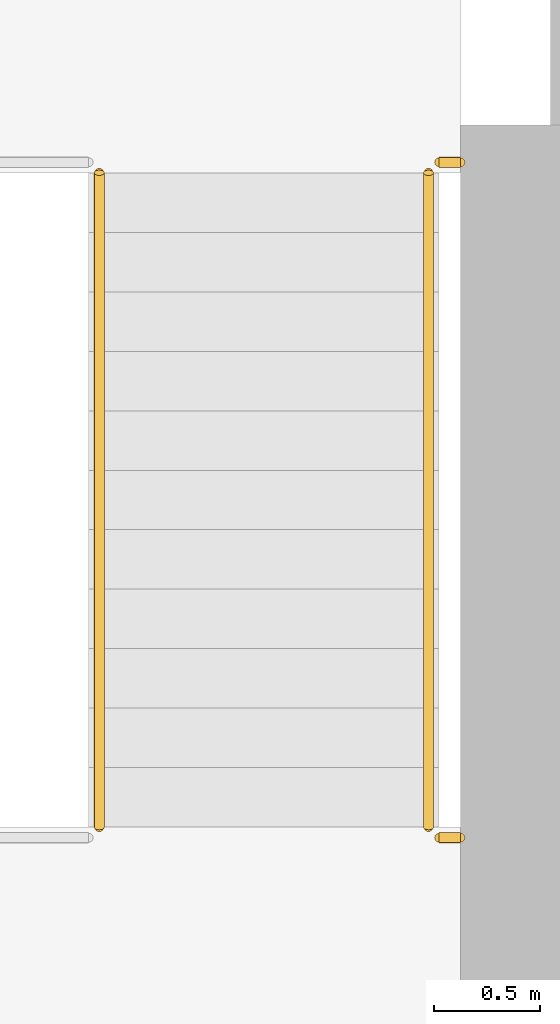
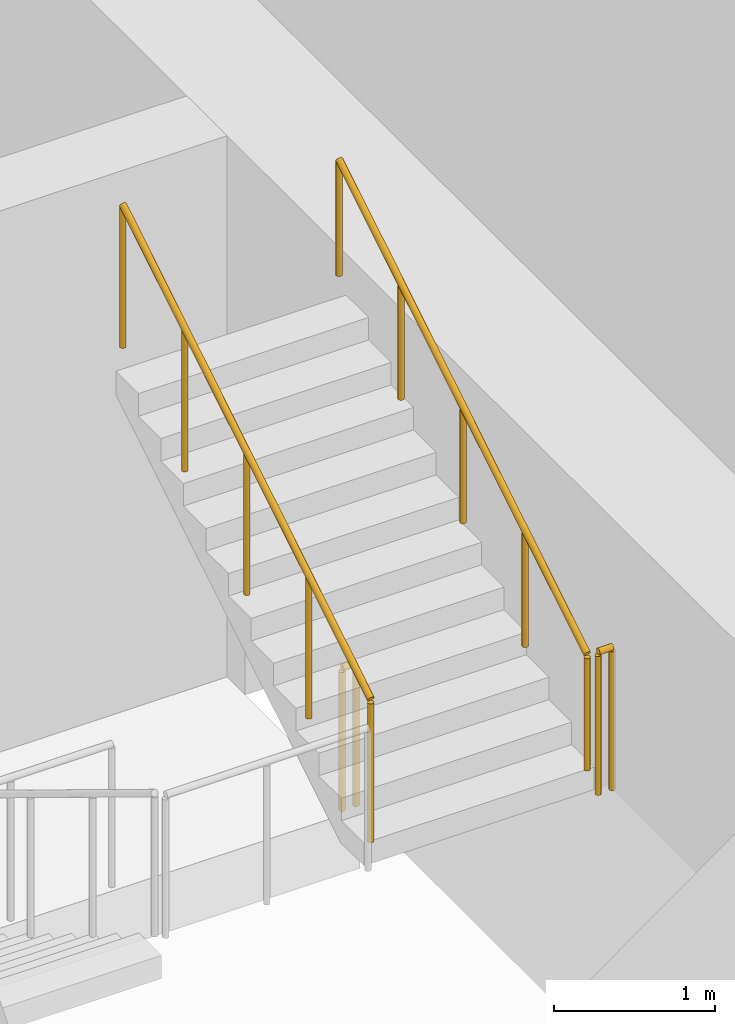
# One storey, part 13 of 18: 4 railings.
"""IFC4 building model written with IfcOpenShell, lengths in metres."""

from ifc_helpers import new_model, si_unit, direction, frame, origin, origin_2d, place, context, subcontext, project, spatial, circle, extrude, material, type_object, element, save


model = new_model("IFC4")

# Units and contexts
model_context = context("Model", 3, precision=1e-05, world=origin(), true_north=direction((0.0, 1.0)))
body_context = subcontext(model_context, "Body", "Model", "MODEL_VIEW")
ifc_project = project(units=[si_unit("LENGTHUNIT", "METRE"), si_unit("AREAUNIT", "SQUARE_METRE"), si_unit("VOLUMEUNIT", "CUBIC_METRE"), si_unit("PLANEANGLEUNIT", "RADIAN"), si_unit("MASSUNIT", "GRAM", prefix="KILO")], contexts=[model_context])

# Site, building, storey
site_placement = place(None, origin())
site = spatial("IfcSite", under=ifc_project, at=site_placement, CompositionType="ELEMENT")
building_placement = place(site_placement, origin())
building = spatial("IfcBuilding", under=site, at=building_placement, Name="Corbel Stack Research Tower", CompositionType="ELEMENT")
storey_placement = place(building_placement, frame((0.0, 0.0, 102.5)))
storey = spatial("IfcBuildingStorey", under=building, at=storey_placement, Name="L23", CompositionType="ELEMENT", Elevation=102.5)

# Railings
ifc_material_1 = material(Name="Steel S355", Category="steel")
railing_type_1 = type_object("IfcRailingType", Name="Stair guard 1100", PredefinedType="GUARDRAIL", material=ifc_material_1)
railing_1_placement = place(storey_placement, frame((17.0, -5.530029296875, 2.050048828125)))
element("IfcRailing", 1, at=railing_1_placement, inside=storey, type_object=railing_type_1, Name="L23 ST-E1 stair guard 3", PredefinedType="GUARDRAIL", context=body_context, shape_type="SweptSolid", body=[
    extrude(circle(Radius=0.02392578125, at=origin_2d()), frame((0.0, 0.0, 1.076171875), z_axis=(1.0, 0.0, 0.0), x_axis=(0.0, 1.0, 0.0)), (0.0, 0.0, 1.0), 0.10009765625),
    extrude(circle(Radius=0.02099609375, at=origin_2d()), origin(), (0.0, 0.0, 1.0), 1.052001953125),
    extrude(circle(Radius=0.02099609375, at=origin_2d()), frame((0.10009765625, 0.0, 0.0)), (0.0, 0.0, 1.0), 1.052001953125),
])
railing_2_placement = place(storey_placement, frame((15.39990234375, -5.47998046875, 2.220947265625)))
element("IfcRailing", 2, at=railing_2_placement, inside=storey, type_object=railing_type_1, Name="L23 ST-E1 stair guard 4", PredefinedType="GUARDRAIL", context=body_context, shape_type="SweptSolid", body=[
    extrude(circle(Radius=0.02392578125, at=origin_2d()), frame((0.0, 0.0, 1.076171875), z_axis=(0.0, 0.853666305674, 0.52082035152), x_axis=(-1.0, 0.0, 0.0)), (0.0, 0.0, 1.0), 3.608154296875),
    extrude(circle(Radius=0.02099609375, at=origin_2d()), origin(), (0.0, 0.0, 1.0), 1.052001953125),
    extrude(circle(Radius=0.02099609375, at=origin_2d()), frame((0.0, 0.77001953125, 0.4697265625)), (0.0, 0.0, 1.0), 1.052001953125),
    extrude(circle(Radius=0.02099609375, at=origin_2d()), frame((0.0, 1.5400390625, 0.939453125)), (0.0, 0.0, 1.0), 1.052001953125),
    extrude(circle(Radius=0.02099609375, at=origin_2d()), frame((0.0, 2.31005859375, 1.409423828125)), (0.0, 0.0, 1.0), 1.052001953125),
    extrude(circle(Radius=0.02099609375, at=origin_2d()), frame((0.0, 3.080078125, 1.879150390625)), (0.0, 0.0, 1.0), 1.052001953125),
])
railing_3_placement = place(storey_placement, frame((17.0, -2.35009765625, 0.0)))
element("IfcRailing", 3, at=railing_3_placement, inside=storey, type_object=railing_type_1, Name="L23 ST-E1 stair guard 6", PredefinedType="GUARDRAIL", context=body_context, shape_type="SweptSolid", body=[
    extrude(circle(Radius=0.02392578125, at=origin_2d()), frame((0.0, 0.0, 1.076171875), z_axis=(1.0, 0.0, 0.0), x_axis=(0.0, 1.0, 0.0)), (0.0, 0.0, 1.0), 0.10009765625),
    extrude(circle(Radius=0.02099609375, at=origin_2d()), origin(), (0.0, 0.0, 1.0), 1.052001953125),
    extrude(circle(Radius=0.02099609375, at=origin_2d()), frame((0.10009765625, 0.0, 0.0)), (0.0, 0.0, 1.0), 1.052001953125),
])
ifc_material_2 = material(Name="Steel S355", Category="steel")
railing_type_2 = type_object("IfcRailingType", Name="Stair handrail 900", PredefinedType="HANDRAIL", material=ifc_material_2)
railing_4_placement = place(storey_placement, frame((16.949951171875, -5.47998046875, 2.220947265625)))
element("IfcRailing", 4, at=railing_4_placement, inside=storey, type_object=railing_type_2, Name="L23 ST-E1 stair handrail 2", PredefinedType="HANDRAIL", context=body_context, shape_type="SweptSolid", body=[
    extrude(circle(Radius=0.02392578125, at=origin_2d()), frame((0.0, 0.0, 0.8759765625), z_axis=(0.0, 0.853666305674, 0.52082035152), x_axis=(-1.0, 0.0, 0.0)), (0.0, 0.0, 1.0), 3.608154296875),
    extrude(circle(Radius=0.02099609375, at=origin_2d()), origin(), (0.0, 0.0, 1.0), 0.851806640625),
    extrude(circle(Radius=0.02099609375, at=origin_2d()), frame((0.0, 0.77001953125, 0.4697265625)), (0.0, 0.0, 1.0), 0.851806640625),
    extrude(circle(Radius=0.02099609375, at=origin_2d()), frame((0.0, 1.5400390625, 0.939453125)), (0.0, 0.0, 1.0), 0.851806640625),
    extrude(circle(Radius=0.02099609375, at=origin_2d()), frame((0.0, 2.31005859375, 1.409423828125)), (0.0, 0.0, 1.0), 0.851806640625),
    extrude(circle(Radius=0.02099609375, at=origin_2d()), frame((0.0, 3.080078125, 1.879150390625)), (0.0, 0.0, 1.0), 0.851806640625),
])

save(model, "model.ifc")
